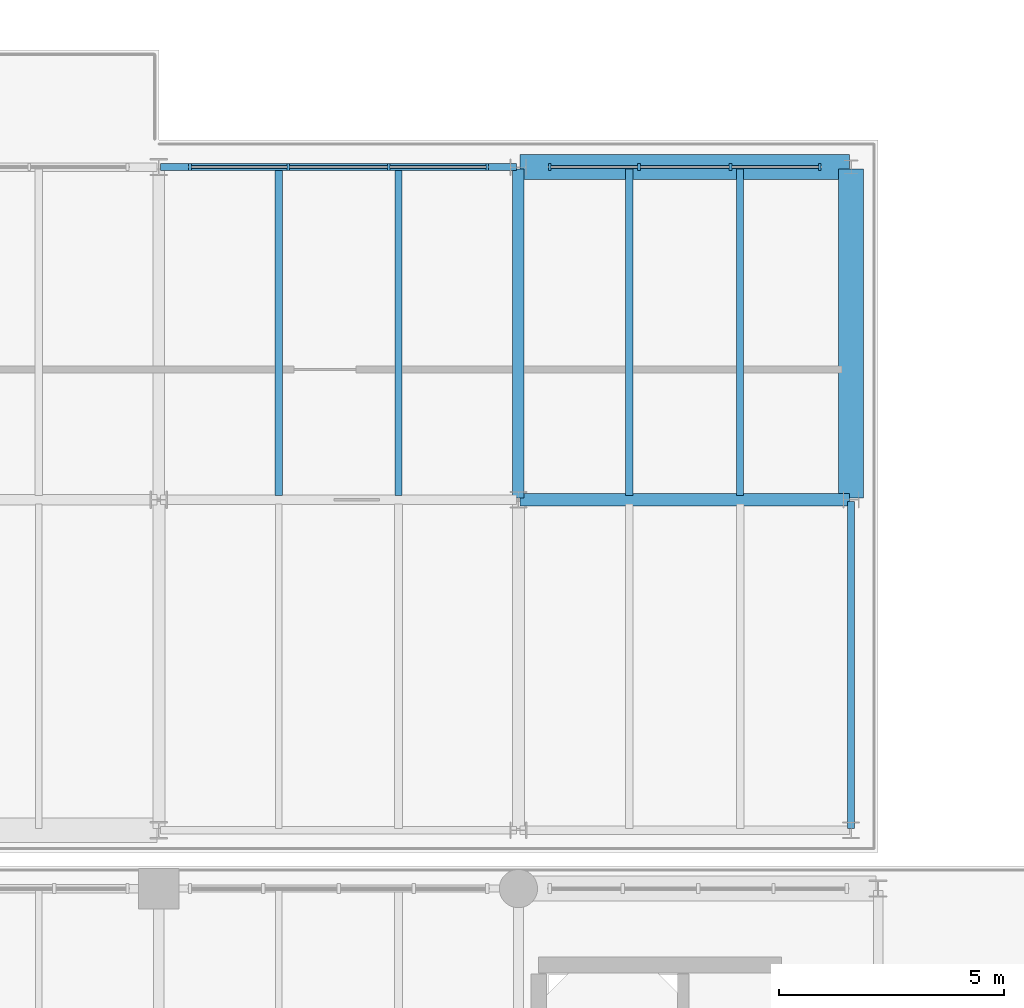
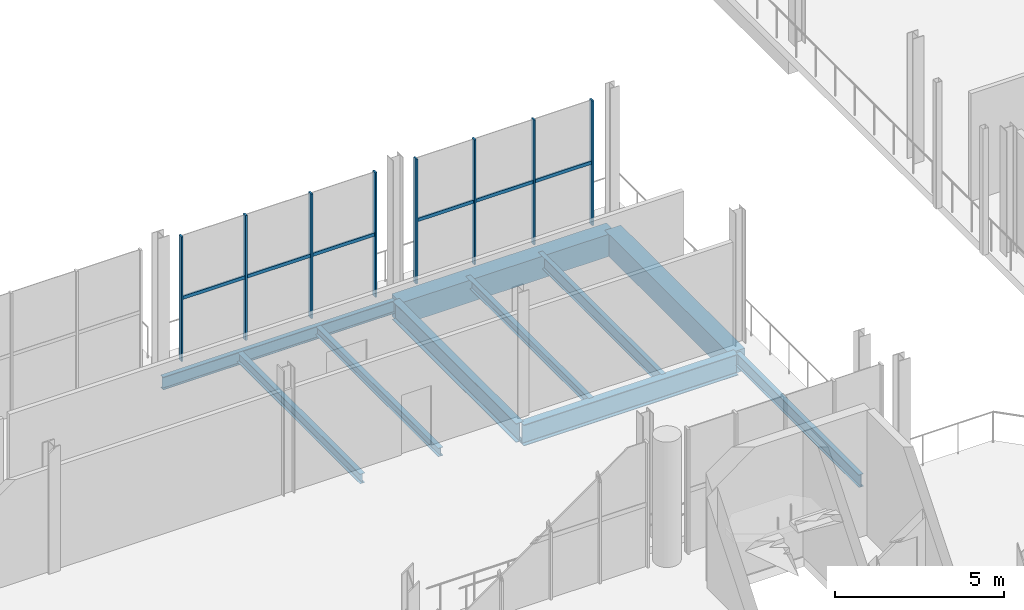
# One storey, part 51 of 93: 14 members, 10 beams, 2 elements without a shape of their own.
"""IFC4 building model written with IfcOpenShell, lengths in metres."""

from ifc_helpers import new_model, si_unit, direction, frame, origin, origin_2d, place, context, subcontext, project, spatial, rectangle, i_section, extrude, material, material_profile, profile_set, type_object, element, aggregate, save


model = new_model("IFC4")

# Units and contexts
model_context = context("Model", 3, precision=1e-05, world=origin(), true_north=direction((0.0, 1.0)))
body_context = subcontext(model_context, "Body", "Model", "MODEL_VIEW")
ifc_project = project(units=[si_unit("LENGTHUNIT", "METRE"), si_unit("AREAUNIT", "SQUARE_METRE"), si_unit("VOLUMEUNIT", "CUBIC_METRE"), si_unit("PLANEANGLEUNIT", "RADIAN"), si_unit("MASSUNIT", "GRAM", prefix="KILO")], contexts=[model_context])

# Site, building, storey
site_placement = place(None, origin())
site = spatial("IfcSite", under=ifc_project, at=site_placement, CompositionType="ELEMENT")
building_placement = place(site_placement, origin())
building = spatial("IfcBuilding", under=site, at=building_placement, Name="Brisemont Oceanarium", CompositionType="ELEMENT")
storey_placement = place(building_placement, frame((0.0, 0.0, 5.39990234375)))
storey = spatial("IfcBuildingStorey", under=building, at=storey_placement, Name="L01", CompositionType="ELEMENT", Elevation=5.39990234375)

# Beams
ifc_material_1 = material(Name="Concrete C40/50", Category="concrete")
ifc_material_profile_1 = material_profile(ifc_material_1, rectangle(XDim=0.550048828125, YDim=0.800048828125, at=origin_2d()), Name="RC-BM-550X800")
ifc_profile_set_1 = profile_set([ifc_material_profile_1], Name="Concrete C40/50")
beam_type_1 = type_object("IfcBeamType", Name="BM-RC550X800", PredefinedType="SPANDREL", material=ifc_profile_set_1)
for number, where, z_axis, x_axis, name in (
    (1, (96.0400390625, 95.39990234375, -0.739990234375), (1.0, 0.0, 0.0), (0.0, 1.0, 0.0), "V7E L01 EW girder"),
    (2, (103.39990234375, 88.0400390625, -0.739990234375), (0.0, 1.0, 0.0), (-1.0, 0.0, 0.0), "V7E L01 NS girder"),
):
    element("IfcBeam", number, at=place(storey_placement, frame(where, z_axis=z_axis, x_axis=x_axis)), inside=storey, type_object=beam_type_1, Name=name, PredefinedType="SPANDREL", context=body_context, shape_type="SweptSolid", body=[
        extrude(rectangle(XDim=0.550048828125, YDim=0.800048828125, at=origin_2d()), origin(), (0.0, 0.0, 1.0), 7.320068359375),
    ])
ifc_material_2 = material(Name="Structural Steel ASTM A992 Gr.50", Category="steel")
ifc_material_profile_2 = material_profile(ifc_material_2, i_section(OverallWidth=0.1650390625, OverallDepth=0.31005859375, WebThickness=0.005859375, FlangeThickness=0.009765625, FilletRadius=0.008056640625, at=origin_2d()), Name="W12X26")
ifc_profile_set_2 = profile_set([ifc_material_profile_2], Name="Structural Steel ASTM A992 Gr.50")
beam_type_2 = type_object("IfcBeamType", Name="BM-W12X26", PredefinedType="JOIST", material=ifc_profile_set_2)
for number, where, z_axis, x_axis, name in (
    (3, (93.333251953125, 88.090087890625, -0.494873046875), (0.0, 1.0, 0.0), (-1.0, 0.0, 0.0), "V7E L01 secondary floor beam"),
    (4, (98.466796875, 88.090087890625, -0.494873046875), (0.0, 1.0, 0.0), (-1.0, 0.0, 0.0), "V7E L01 secondary floor beam"),
):
    element("IfcBeam", number, at=place(storey_placement, frame(where, z_axis=z_axis, x_axis=x_axis)), inside=storey, type_object=beam_type_2, Name=name, PredefinedType="JOIST", context=body_context, shape_type="SweptSolid", body=[
        extrude(i_section(OverallWidth=0.1650390625, OverallDepth=0.31005859375, WebThickness=0.005859375, FlangeThickness=0.009765625, FilletRadius=0.008056640625, at=origin_2d()), origin(), (0.0, 0.0, 1.0), 7.27001953125),
    ])
ifc_material_3 = material(Name="Structural Steel ASTM A992 Gr.50", Category="steel")
ifc_material_profile_3 = material_profile(ifc_material_3, i_section(OverallWidth=0.1708984375, OverallDepth=0.35107421875, WebThickness=0.0068359375, FlangeThickness=0.009765625, FilletRadius=0.010009765625, at=origin_2d()), Name="W14X30")
ifc_profile_set_3 = profile_set([ifc_material_profile_3], Name="Structural Steel ASTM A992 Gr.50")
beam_type_3 = type_object("IfcBeamType", Name="BM-W14X30", PredefinedType="JOIST", material=ifc_profile_set_3)
beam_1_placement = place(storey_placement, frame((90.666748046875, 88.090087890625, -0.515380859375), z_axis=(0.0, 1.0, 0.0), x_axis=(-1.0, 0.0, 0.0)))
element("IfcBeam", 5, at=beam_1_placement, inside=storey, type_object=beam_type_3, Name="V7E L01 secondary floor beam", PredefinedType="JOIST", context=body_context, shape_type="SweptSolid", body=[
    extrude(i_section(OverallWidth=0.1708984375, OverallDepth=0.35107421875, WebThickness=0.0068359375, FlangeThickness=0.009765625, FilletRadius=0.010009765625, at=origin_2d()), origin(), (0.0, 0.0, 1.0), 7.27001953125),
])
ifc_material_4 = material(Name="Structural Steel ASTM A992 Gr.50", Category="steel")
ifc_material_profile_4 = material_profile(ifc_material_4, i_section(OverallWidth=0.153076171875, OverallDepth=0.455078125, WebThickness=0.008056640625, FlangeThickness=0.01318359375, FilletRadius=0.010986328125, at=origin_2d()), Name="W18X40")
ifc_profile_set_4 = profile_set([ifc_material_profile_4], Name="Structural Steel ASTM A992 Gr.50")
beam_type_4 = type_object("IfcBeamType", Name="BM-W18X40", PredefinedType="JOIST", material=ifc_profile_set_4)
beam_2_placement = place(storey_placement, frame((100.933349609375, 88.090087890625, -0.5673828125), z_axis=(0.0, 1.0, 0.0), x_axis=(-1.0, 0.0, 0.0)))
element("IfcBeam", 6, at=beam_2_placement, inside=storey, type_object=beam_type_4, Name="V7E L01 secondary floor beam", PredefinedType="JOIST", context=body_context, shape_type="SweptSolid", body=[
    extrude(i_section(OverallWidth=0.153076171875, OverallDepth=0.455078125, WebThickness=0.008056640625, FlangeThickness=0.01318359375, FilletRadius=0.010986328125, at=origin_2d()), origin(), (0.0, 0.0, 1.0), 7.27001953125),
])
ifc_material_5 = material(Name="Structural Steel ASTM A992 Gr.50", Category="steel")
ifc_material_profile_5 = material_profile(ifc_material_5, i_section(OverallWidth=0.154052734375, OverallDepth=0.458984375, WebThickness=0.009033203125, FlangeThickness=0.015380859375, FilletRadius=0.010986328125, at=origin_2d()), Name="W18X46")
ifc_profile_set_5 = profile_set([ifc_material_profile_5], Name="Structural Steel ASTM A992 Gr.50")
beam_type_5 = type_object("IfcBeamType", Name="BM-W18X46", PredefinedType="SPANDREL", material=ifc_profile_set_5)
beam_3_placement = place(storey_placement, frame((88.0400390625, 95.39990234375, -0.5693359375), z_axis=(1.0, 0.0, 0.0), x_axis=(0.0, 1.0, 0.0)))
element("IfcBeam", 7, at=beam_3_placement, inside=storey, type_object=beam_type_5, Name="V7E L01 EW girder", PredefinedType="SPANDREL", context=body_context, shape_type="SweptSolid", body=[
    extrude(i_section(OverallWidth=0.154052734375, OverallDepth=0.458984375, WebThickness=0.009033203125, FlangeThickness=0.015380859375, FilletRadius=0.010986328125, at=origin_2d()), origin(), (0.0, 0.0, 1.0), 7.919921875),
])
beam_4_placement = place(storey_placement, frame((103.39990234375, 80.68994140625, -0.5693359375), z_axis=(0.0, 1.0, 0.0), x_axis=(-1.0, 0.0, 0.0)))
element("IfcBeam", 8, at=beam_4_placement, inside=storey, type_object=beam_type_5, Name="V7E L01 NS girder", PredefinedType="SPANDREL", context=body_context, shape_type="SweptSolid", body=[
    extrude(i_section(OverallWidth=0.154052734375, OverallDepth=0.458984375, WebThickness=0.009033203125, FlangeThickness=0.015380859375, FilletRadius=0.010986328125, at=origin_2d()), origin(), (0.0, 0.0, 1.0), 7.27001953125),
])
ifc_material_6 = material(Name="Structural Steel ASTM A992 Gr.50", Category="steel")
ifc_material_profile_6 = material_profile(ifc_material_6, i_section(OverallWidth=0.25390625, OverallDepth=0.68310546875, WebThickness=0.012451171875, FlangeThickness=0.018798828125, FilletRadius=0.014892578125, at=origin_2d()), Name="W27X94")
ifc_profile_set_6 = profile_set([ifc_material_profile_6], Name="Structural Steel ASTM A992 Gr.50")
beam_type_6 = type_object("IfcBeamType", Name="BM-W27X94", PredefinedType="BEAM", material=ifc_profile_set_6)
beam_5_placement = place(storey_placement, frame((96.0, 88.0400390625, -0.681396484375), z_axis=(0.0, 1.0, 0.0), x_axis=(-1.0, 0.0, 0.0)))
element("IfcBeam", 9, at=beam_5_placement, inside=storey, type_object=beam_type_6, Name="V7E L01 NS girder", PredefinedType="BEAM", context=body_context, shape_type="SweptSolid", body=[
    extrude(i_section(OverallWidth=0.25390625, OverallDepth=0.68310546875, WebThickness=0.012451171875, FlangeThickness=0.018798828125, FilletRadius=0.014892578125, at=origin_2d()), origin(), (0.0, 0.0, 1.0), 7.320068359375),
])
ifc_material_7 = material(Name="Structural Steel ASTM A992 Gr.50", Category="steel")
ifc_material_profile_7 = material_profile(ifc_material_7, i_section(OverallWidth=0.26708984375, OverallDepth=0.761962890625, WebThickness=0.014404296875, FlangeThickness=0.021484375, FilletRadius=0.01611328125, at=origin_2d()), Name="W30X116")
ifc_profile_set_7 = profile_set([ifc_material_profile_7], Name="Structural Steel ASTM A992 Gr.50")
beam_type_7 = type_object("IfcBeamType", Name="BM-W30X116", PredefinedType="BEAM", material=ifc_profile_set_7)
beam_6_placement = place(storey_placement, frame((96.0400390625, 88.0, -0.720947265625), z_axis=(1.0, 0.0, 0.0), x_axis=(0.0, 1.0, 0.0)))
element("IfcBeam", 10, at=beam_6_placement, inside=storey, type_object=beam_type_7, Name="V7E L01 EW girder", PredefinedType="BEAM", context=body_context, shape_type="SweptSolid", body=[
    extrude(i_section(OverallWidth=0.26708984375, OverallDepth=0.761962890625, WebThickness=0.014404296875, FlangeThickness=0.021484375, FilletRadius=0.01611328125, at=origin_2d()), origin(), (0.0, 0.0, 1.0), 7.320068359375),
])

# Curtain wall, members
ifc_material_8 = material(Name="Anodized Extruded Aluminum 6063-T6", Category="aluminium")
curtain_wall_type = type_object("IfcCurtainWallType", Name="CW-CLR-48X34", PredefinedType="NOTDEFINED", material=ifc_material_8)
curtain_wall_1_placement = place(storey_placement, origin())
curtain_wall_1 = element("IfcCurtainWall", 11, at=curtain_wall_1_placement, inside=storey, type_object=curtain_wall_type, Name="CW-22 curtain wall CW-V7E-N-L01-05", PredefinedType="NOTDEFINED")
ifc_material_9 = material(Name="Anodized Extruded Aluminum 6063-T6", Category="aluminium")
ifc_material_profile_8 = material_profile(ifc_material_9, rectangle(XDim=0.06005859375, YDim=0.14990234375, at=origin_2d()), Name="CWM-60X150")
ifc_profile_set_8 = profile_set([ifc_material_profile_8], Name="Anodized Extruded Aluminum 6063-T6")
member_type_1 = type_object("IfcMemberType", Name="MEM-CWM-60", PredefinedType="MULLION", material=ifc_profile_set_8)
member_1_placement = place(storey_placement, frame((88.695068359375, 95.39990234375, 0.0), z_axis=(0.0, 0.0, 1.0), x_axis=(1.0, 0.0, 0.0)))
member_1 = element("IfcMember", 12, at=member_1_placement, type_object=member_type_1, Name="CW-V7E-N-L01-05 mullion 1", PredefinedType="MULLION", context=body_context, shape_type="SweptSolid", body=[
    extrude(rectangle(XDim=0.06005859375, YDim=0.14990234375, at=origin_2d()), origin(), (0.0, 0.0, 1.0), 4.5),
])
member_2_placement = place(storey_placement, frame((90.88330078125, 95.39990234375, 0.0), z_axis=(0.0, 0.0, 1.0), x_axis=(1.0, 0.0, 0.0)))
member_2 = element("IfcMember", 13, at=member_2_placement, type_object=member_type_1, Name="CW-V7E-N-L01-05 mullion 2", PredefinedType="MULLION", context=body_context, shape_type="SweptSolid", body=[
    extrude(rectangle(XDim=0.06005859375, YDim=0.14990234375, at=origin_2d()), origin(), (0.0, 0.0, 1.0), 4.5),
])
member_3_placement = place(storey_placement, frame((93.11669921875, 95.39990234375, 0.0), z_axis=(0.0, 0.0, 1.0), x_axis=(1.0, 0.0, 0.0)))
member_3 = element("IfcMember", 14, at=member_3_placement, type_object=member_type_1, Name="CW-V7E-N-L01-05 mullion 3", PredefinedType="MULLION", context=body_context, shape_type="SweptSolid", body=[
    extrude(rectangle(XDim=0.06005859375, YDim=0.14990234375, at=origin_2d()), origin(), (0.0, 0.0, 1.0), 4.5),
])
member_4_placement = place(storey_placement, frame((95.304931640625, 95.39990234375, 0.0), z_axis=(0.0, 0.0, 1.0), x_axis=(1.0, 0.0, 0.0)))
member_4 = element("IfcMember", 15, at=member_4_placement, type_object=member_type_1, Name="CW-V7E-N-L01-05 mullion 4", PredefinedType="MULLION", context=body_context, shape_type="SweptSolid", body=[
    extrude(rectangle(XDim=0.06005859375, YDim=0.14990234375, at=origin_2d()), origin(), (0.0, 0.0, 1.0), 4.5),
])

curtain_wall_2_placement = place(storey_placement, origin())
curtain_wall_2 = element("IfcCurtainWall", 16, at=curtain_wall_2_placement, inside=storey, type_object=curtain_wall_type, Name="CW-22 curtain wall CW-V7E-N-L01-06", PredefinedType="NOTDEFINED")
member_5_placement = place(storey_placement, frame((96.695068359375, 95.39990234375, 0.0), z_axis=(0.0, 0.0, 1.0), x_axis=(1.0, 0.0, 0.0)))
member_5 = element("IfcMember", 17, at=member_5_placement, type_object=member_type_1, Name="CW-V7E-N-L01-06 mullion 1", PredefinedType="MULLION", context=body_context, shape_type="SweptSolid", body=[
    extrude(rectangle(XDim=0.06005859375, YDim=0.14990234375, at=origin_2d()), origin(), (0.0, 0.0, 1.0), 4.5),
])
member_6_placement = place(storey_placement, frame((98.683349609375, 95.39990234375, 0.0), z_axis=(0.0, 0.0, 1.0), x_axis=(1.0, 0.0, 0.0)))
member_6 = element("IfcMember", 18, at=member_6_placement, type_object=member_type_1, Name="CW-V7E-N-L01-06 mullion 2", PredefinedType="MULLION", context=body_context, shape_type="SweptSolid", body=[
    extrude(rectangle(XDim=0.06005859375, YDim=0.14990234375, at=origin_2d()), origin(), (0.0, 0.0, 1.0), 4.5),
])
member_7_placement = place(storey_placement, frame((100.716796875, 95.39990234375, 0.0), z_axis=(0.0, 0.0, 1.0), x_axis=(1.0, 0.0, 0.0)))
member_7 = element("IfcMember", 19, at=member_7_placement, type_object=member_type_1, Name="CW-V7E-N-L01-06 mullion 3", PredefinedType="MULLION", context=body_context, shape_type="SweptSolid", body=[
    extrude(rectangle(XDim=0.06005859375, YDim=0.14990234375, at=origin_2d()), origin(), (0.0, 0.0, 1.0), 4.5),
])
member_8_placement = place(storey_placement, frame((102.705078125, 95.39990234375, 0.0), z_axis=(0.0, 0.0, 1.0), x_axis=(1.0, 0.0, 0.0)))
member_8 = element("IfcMember", 20, at=member_8_placement, type_object=member_type_1, Name="CW-V7E-N-L01-06 mullion 4", PredefinedType="MULLION", context=body_context, shape_type="SweptSolid", body=[
    extrude(rectangle(XDim=0.06005859375, YDim=0.14990234375, at=origin_2d()), origin(), (0.0, 0.0, 1.0), 4.5),
])

# Member
ifc_material_10 = material(Name="Anodized Extruded Aluminum 6063-T6", Category="aluminium")
ifc_material_profile_9 = material_profile(ifc_material_10, rectangle(XDim=0.06005859375, YDim=0.1201171875, at=origin_2d()), Name="CWT-60X120")
ifc_profile_set_9 = profile_set([ifc_material_profile_9], Name="Anodized Extruded Aluminum 6063-T6")
member_type_2 = type_object("IfcMemberType", Name="MEM-CWT-60", PredefinedType="USERDEFINED", material=ifc_profile_set_9)
member_9_placement = place(storey_placement, frame((88.6650390625, 95.39990234375, 2.25), z_axis=(1.0, 0.0, 0.0), x_axis=(0.0, 1.0, 0.0)))
member_9 = element("IfcMember", 21, at=member_9_placement, type_object=member_type_2, Name="CW-V7E-N-L01-05 transom 1.1", ObjectType="TRANSOM", PredefinedType="USERDEFINED", context=body_context, shape_type="SweptSolid", body=[
    extrude(rectangle(XDim=0.06005859375, YDim=0.1201171875, at=origin_2d()), origin(), (0.0, 0.0, 1.0), 2.203369140625),
])

member_10_placement = place(storey_placement, frame((90.898193359375, 95.39990234375, 2.25), z_axis=(1.0, 0.0, 0.0), x_axis=(0.0, 1.0, 0.0)))
member_10 = element("IfcMember", 22, at=member_10_placement, type_object=member_type_2, Name="CW-V7E-N-L01-05 transom 2.1", ObjectType="TRANSOM", PredefinedType="USERDEFINED", context=body_context, shape_type="SweptSolid", body=[
    extrude(rectangle(XDim=0.06005859375, YDim=0.1201171875, at=origin_2d()), origin(), (0.0, 0.0, 1.0), 2.20361328125),
])

member_11_placement = place(storey_placement, frame((93.131591796875, 95.39990234375, 2.25), z_axis=(1.0, 0.0, 0.0), x_axis=(0.0, 1.0, 0.0)))
member_11 = element("IfcMember", 23, at=member_11_placement, type_object=member_type_2, Name="CW-V7E-N-L01-05 transom 3.1", ObjectType="TRANSOM", PredefinedType="USERDEFINED", context=body_context, shape_type="SweptSolid", body=[
    extrude(rectangle(XDim=0.06005859375, YDim=0.1201171875, at=origin_2d()), origin(), (0.0, 0.0, 1.0), 2.203369140625),
])

aggregate(curtain_wall_1, [member_1, member_2, member_3, member_4, member_9, member_10, member_11])

member_12_placement = place(storey_placement, frame((96.6650390625, 95.39990234375, 2.25), z_axis=(1.0, 0.0, 0.0), x_axis=(0.0, 1.0, 0.0)))
member_12 = element("IfcMember", 24, at=member_12_placement, type_object=member_type_2, Name="CW-V7E-N-L01-06 transom 1.1", ObjectType="TRANSOM", PredefinedType="USERDEFINED", context=body_context, shape_type="SweptSolid", body=[
    extrude(rectangle(XDim=0.06005859375, YDim=0.1201171875, at=origin_2d()), origin(), (0.0, 0.0, 1.0), 2.003173828125),
])

member_13_placement = place(storey_placement, frame((98.6982421875, 95.39990234375, 2.25), z_axis=(1.0, 0.0, 0.0), x_axis=(0.0, 1.0, 0.0)))
member_13 = element("IfcMember", 25, at=member_13_placement, type_object=member_type_2, Name="CW-V7E-N-L01-06 transom 2.1", ObjectType="TRANSOM", PredefinedType="USERDEFINED", context=body_context, shape_type="SweptSolid", body=[
    extrude(rectangle(XDim=0.06005859375, YDim=0.1201171875, at=origin_2d()), origin(), (0.0, 0.0, 1.0), 2.00341796875),
])

member_14_placement = place(storey_placement, frame((100.731689453125, 95.39990234375, 2.25), z_axis=(1.0, 0.0, 0.0), x_axis=(0.0, 1.0, 0.0)))
member_14 = element("IfcMember", 26, at=member_14_placement, type_object=member_type_2, Name="CW-V7E-N-L01-06 transom 3.1", ObjectType="TRANSOM", PredefinedType="USERDEFINED", context=body_context, shape_type="SweptSolid", body=[
    extrude(rectangle(XDim=0.06005859375, YDim=0.1201171875, at=origin_2d()), origin(), (0.0, 0.0, 1.0), 2.00341796875),
])

aggregate(curtain_wall_2, [member_5, member_6, member_7, member_8, member_12, member_13, member_14])

save(model, "model.ifc")
